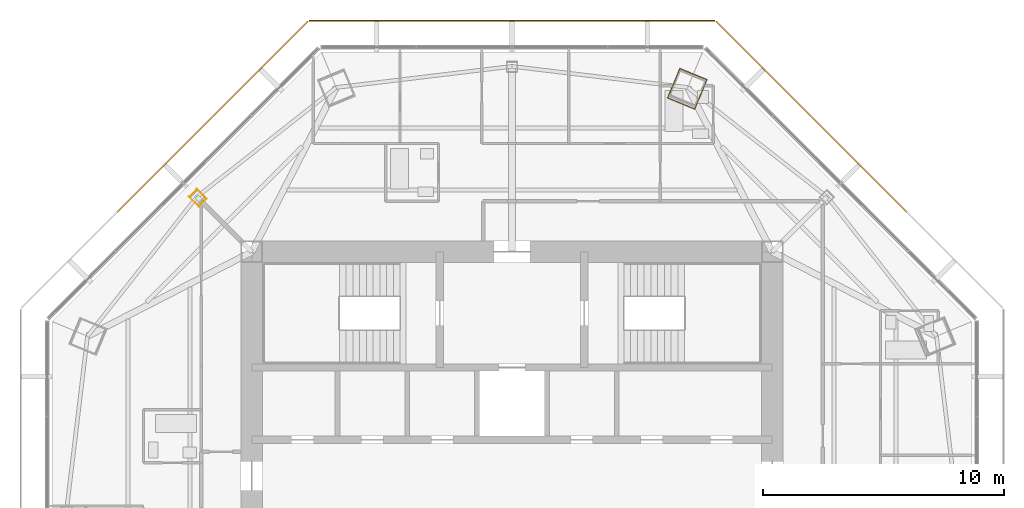
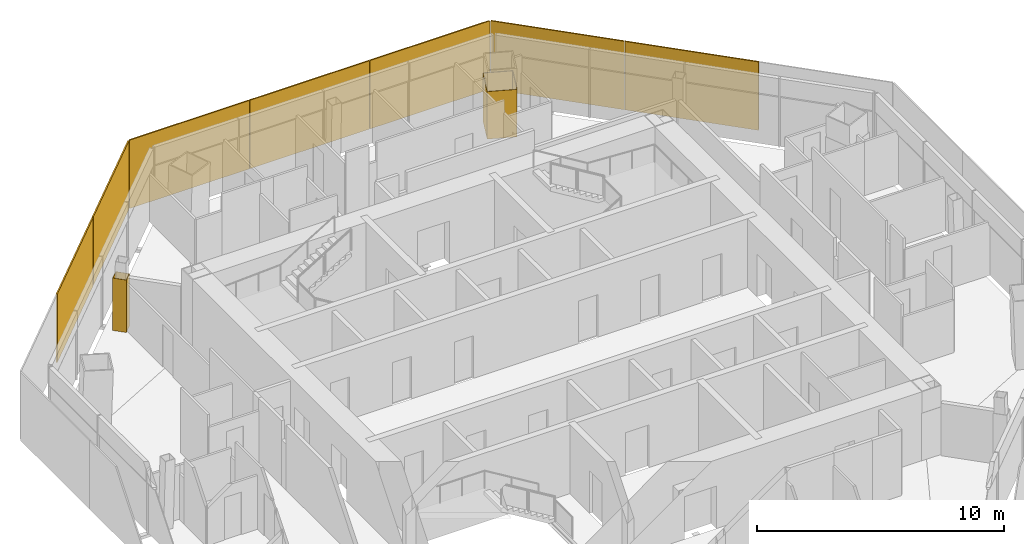
# One storey, part 14 of 15: 7 shading devices, 2 coverings.
"""IFC4 building model written with IfcOpenShell, lengths in metres."""

from ifc_helpers import new_model, si_unit, direction, frame, origin, origin_2d, place, context, subcontext, project, spatial, polyline, rectangle, outline, extrude, source, transform, mapped, material, layer, layer_set, type_object, type_shapes, element, save


model = new_model("IFC4")

# Units and contexts
model_context = context("Model", 3, precision=1e-05, world=origin(), true_north=direction((0.0, 1.0)))
body_context = subcontext(model_context, "Body", "Model", "MODEL_VIEW")
ifc_project = project(units=[si_unit("LENGTHUNIT", "METRE"), si_unit("AREAUNIT", "SQUARE_METRE"), si_unit("VOLUMEUNIT", "CUBIC_METRE"), si_unit("PLANEANGLEUNIT", "RADIAN"), si_unit("MASSUNIT", "GRAM", prefix="KILO")], contexts=[model_context])

# Site, building, storey
site_placement = place(None, origin())
site = spatial("IfcSite", under=ifc_project, at=site_placement, CompositionType="ELEMENT")
building_placement = place(site_placement, origin())
building = spatial("IfcBuilding", under=site, at=building_placement, Name="Mashrafa Tower", CompositionType="ELEMENT")
storey_placement = place(building_placement, frame((0.0, 0.0, 308.199951171875)))
storey = spatial("IfcBuildingStorey", under=building, at=storey_placement, Name="L76", CompositionType="ELEMENT", Elevation=308.199951171875)

# Coverings
ifc_material_1 = material(Name="Gypsum board")
ifc_layer_1 = layer(ifc_material_1, 0.014892578125)
ifc_layer_set_1 = layer_set([ifc_layer_1], Name="Column casing plasterboard 15")
covering_type = type_object("IfcCoveringType", Name="Column casing plasterboard 15", PredefinedType="CLADDING", material=ifc_layer_set_1)
covering_1_placement = place(storey_placement, origin())
element("IfcCovering", 1, at=covering_1_placement, inside=storey, type_object=covering_type, Name="Column casing L76-002", PredefinedType="CLADDING", context=body_context, shape_type="SweptSolid", body=[
    extrude(outline(polyline([(6.4541015625, 17.188720703125), (6.499755859375, 17.298583984375), (6.96484375, 18.421875), (8.101318359375, 17.951171875), (8.0556640625, 17.841064453125), (7.590576171875, 16.718017578125), (6.4541015625, 17.188720703125)]), holes=[polyline([(8.041748046875, 17.8466796875), (8.081787109375, 17.94287109375), (6.972900390625, 18.402099609375), (6.513671875, 17.29296875), (6.4736328125, 17.19677734375), (7.58251953125, 16.737548828125), (8.041748046875, 17.8466796875)])]), origin(), (0.0, 0.0, 1.0), 2.349365234375),
])
covering_2_placement = place(storey_placement, origin())
element("IfcCovering", 2, at=covering_2_placement, inside=storey, type_object=covering_type, Name="Column casing L76-004", PredefinedType="CLADDING", context=body_context, shape_type="SweptSolid", body=[
    extrude(outline(polyline([(-13.418212890625, 13.078857421875), (-13.078857421875, 13.418212890625), (-12.67138671875, 13.0107421875), (-13.0107421875, 12.67138671875), (-13.418212890625, 13.078857421875)]), holes=[polyline([(-12.6923828125, 13.0107421875), (-13.078857421875, 13.39697265625), (-13.39697265625, 13.078857421875), (-13.0107421875, 12.6923828125), (-12.6923828125, 13.0107421875)])]), origin(), (0.0, 0.0, 1.0), 2.590576171875),
])

# Shading devices
ifc_material_2 = material(Name="Perforated aluminium plate, eight-point star pattern", Category="aluminium")
ifc_layer_2 = layer(ifc_material_2, 0.06005859375)
ifc_layer_set_2 = layer_set([ifc_layer_2], Name="Mashrabiya screen panel apartment zone 4, 22 percent open")
shading_device_type = type_object("IfcShadingDeviceType", Name="Mashrabiya screen panel apartment zone 4, 22 percent open", PredefinedType="SHUTTER", material=ifc_layer_set_2)
shared_shape = source(origin(), body_context, "Body", "SweptSolid", [
    extrude(rectangle(XDim=5.597412109375, YDim=0.06005859375, at=origin_2d()), origin(), (0.0, 0.0, 1.0), 3.3798828125),
])
type_shapes(shading_device_type, [shared_shape])
for number, where, z_axis, x_axis, name in (
    (3, (14.42236328125, 14.42236328125, -0.14990234375), (0.0, 0.0, 1.0), (-0.707106781187, 0.707106781187, 0.0), "Mashrabiya screen L76 north-east 2"),
    (4, (10.4501953125, 18.394287109375, -0.14990234375), (0.0, 0.0, 1.0), (-0.707106781187, 0.707106781187, 0.0), "Mashrabiya screen L76 north-east 3"),
    (5, (5.6171875, 20.396240234375, -0.14990234375), (0.0, 0.0, 1.0), (-1.0, 0.0, 0.0), "Mashrabiya screen L76 north 1"),
    (6, (0.0, 20.396240234375, -0.14990234375), (0.0, 0.0, 1.0), (-1.0, 0.0, 0.0), "Mashrabiya screen L76 north 2"),
    (7, (-5.6171875, 20.396240234375, -0.14990234375), (0.0, 0.0, 1.0), (-1.0, 0.0, 0.0), "Mashrabiya screen L76 north 3"),
    (8, (-10.4501953125, 18.394287109375, -0.14990234375), (0.0, 0.0, 1.0), (-0.707106781187, -0.707106781187, 0.0), "Mashrabiya screen L76 north-west 1"),
    (9, (-14.42236328125, 14.42236328125, -0.14990234375), (0.0, 0.0, 1.0), (-0.707106781187, -0.707106781187, 0.0), "Mashrabiya screen L76 north-west 2"),
):
    element("IfcShadingDevice", number, at=place(storey_placement, frame(where, z_axis=z_axis, x_axis=x_axis)), inside=storey, type_object=shading_device_type, Name=name, PredefinedType="SHUTTER", context=body_context, shape_type="MappedRepresentation", body=[
        mapped(shared_shape, transform((0.0, 0.0, 0.0))),
    ])

save(model, "model.ifc")
